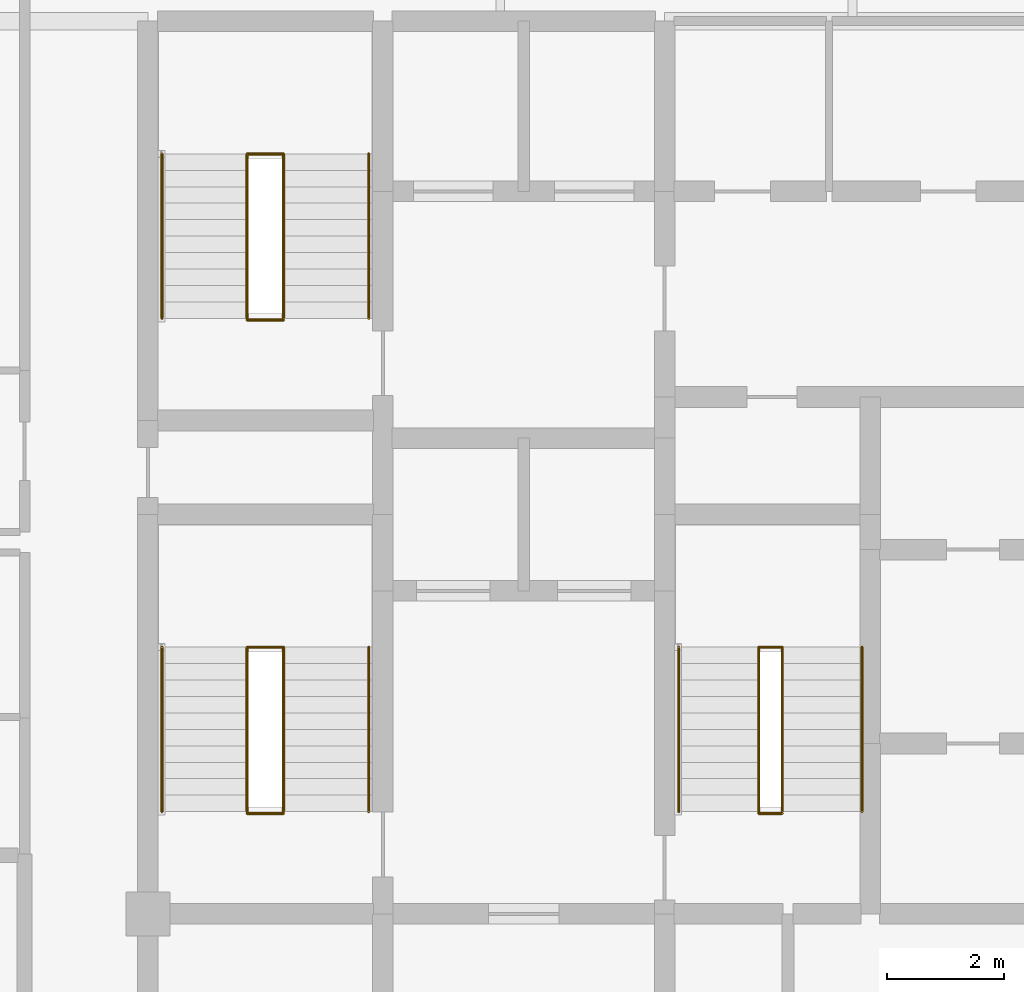
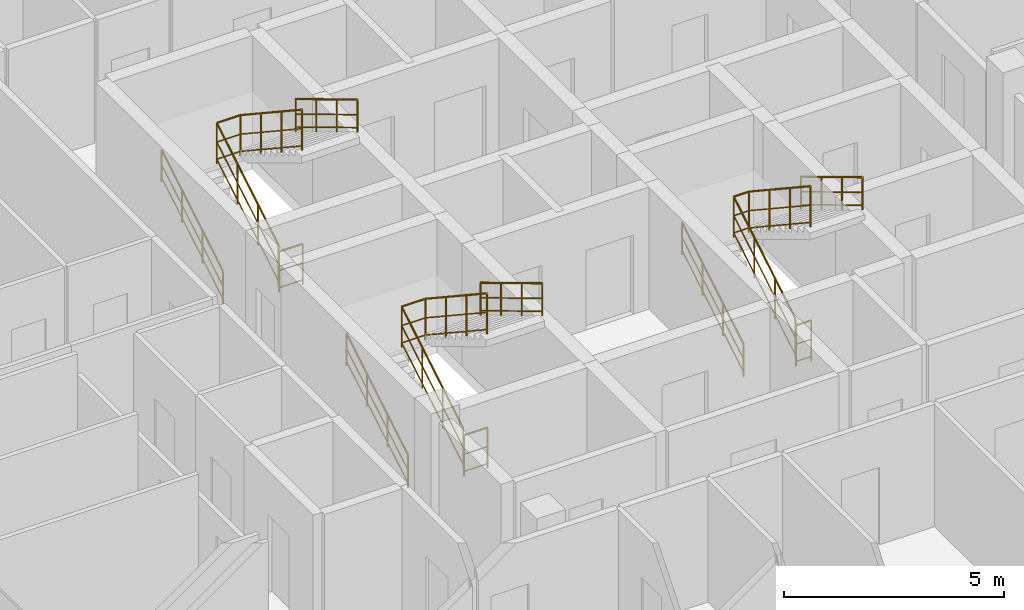
# One storey, part 29 of 29: 12 railings.
"""IFC4 building model written with IfcOpenShell, lengths in metres."""

from ifc_helpers import new_model, si_unit, direction, frame, origin, origin_2d, place, context, subcontext, project, spatial, circle, extrude, material, layer, layer_set, type_object, element, save


model = new_model("IFC4")

# Units and contexts
model_context = context("Model", 3, precision=1e-05, world=origin(), true_north=direction((0.0, 1.0)))
body_context = subcontext(model_context, "Body", "Model", "MODEL_VIEW")
ifc_project = project(units=[si_unit("LENGTHUNIT", "METRE"), si_unit("AREAUNIT", "SQUARE_METRE"), si_unit("VOLUMEUNIT", "CUBIC_METRE"), si_unit("PLANEANGLEUNIT", "RADIAN"), si_unit("MASSUNIT", "GRAM", prefix="KILO")], contexts=[model_context])

# Site, building, storey
site_placement = place(None, origin())
site = spatial("IfcSite", under=ifc_project, at=site_placement, CompositionType="ELEMENT")
building_placement = place(site_placement, origin())
building = spatial("IfcBuilding", under=site, at=building_placement, Name="Keshet Zoharim Tower", CompositionType="ELEMENT")
storey_placement = place(building_placement, frame((0.0, 0.0, 222.800048828125)))
storey = spatial("IfcBuildingStorey", under=building, at=storey_placement, Name="L55", CompositionType="ELEMENT", Elevation=222.800048828125)

# Railings
ifc_material = material(Name="Steel S355", Category="steel")
ifc_layer_1 = layer(ifc_material, 0.050048828125)
ifc_layer_set_1 = layer_set([ifc_layer_1], Name="Steel S355")
railing_type_1 = type_object("IfcRailingType", Name="RL-HND-092", PredefinedType="HANDRAIL", material=ifc_layer_set_1)
railing_1_placement = place(storey_placement, frame((15.239990234375, 24.43994140625, 0.168212890625)))
element("IfcRailing", 1, at=railing_1_placement, inside=storey, type_object=railing_type_1, Name="L55 ST-01 Flight 1 Wall Handrail", PredefinedType="HANDRAIL", context=body_context, shape_type="SweptSolid", body=[
    extrude(circle(Radius=0.02392578125, at=origin_2d()), frame((0.0, 0.0, 0.89599609375), z_axis=(0.0, 0.857275202839, 0.514858452973), x_axis=(-1.0, 0.0, 0.0)), (0.0, 0.0, 1.0), 3.26611328125),
    extrude(circle(Radius=0.01611328125, at=origin_2d()), frame((0.0, 0.0, 0.478271484375), z_axis=(0.0, 0.857275202839, 0.514858452973), x_axis=(-1.0, 0.0, 0.0)), (0.0, 0.0, 1.0), 3.26611328125),
    extrude(circle(Radius=0.01611328125, at=origin_2d()), frame((0.0, 0.0, 0.1201171875), z_axis=(0.0, 0.857275202839, 0.514858452973), x_axis=(-1.0, 0.0, 0.0)), (0.0, 0.0, 1.0), 3.26611328125),
    extrude(circle(Radius=0.02099609375, at=origin_2d()), origin(), (0.0, 0.0, 1.0), 0.871826171875),
    extrude(circle(Radius=0.02099609375, at=origin_2d()), frame((0.0, 0.933349609375, 0.560546875)), (0.0, 0.0, 1.0), 0.871826171875),
    extrude(circle(Radius=0.02099609375, at=origin_2d()), frame((0.0, 1.86669921875, 1.12109375)), (0.0, 0.0, 1.0), 0.871826171875),
    extrude(circle(Radius=0.02099609375, at=origin_2d()), frame((0.0, 2.800048828125, 1.681640625)), (0.0, 0.0, 1.0), 0.871826171875),
])
railing_2_placement = place(storey_placement, frame((18.760009765625, 27.239990234375, 2.01806640625)))
element("IfcRailing", 2, at=railing_2_placement, inside=storey, type_object=railing_type_1, Name="L55 ST-01 Flight 2 Wall Handrail", PredefinedType="HANDRAIL", context=body_context, shape_type="SweptSolid", body=[
    extrude(circle(Radius=0.02392578125, at=origin_2d()), frame((0.0, 0.0, 0.89599609375), z_axis=(0.0, -0.857242210791, 0.514913383045), x_axis=(1.0, 0.0, 0.0)), (0.0, 0.0, 1.0), 3.266357421875),
    extrude(circle(Radius=0.01611328125, at=origin_2d()), frame((0.0, 0.0, 0.478271484375), z_axis=(0.0, -0.857242210791, 0.514913383045), x_axis=(1.0, 0.0, 0.0)), (0.0, 0.0, 1.0), 3.266357421875),
    extrude(circle(Radius=0.01611328125, at=origin_2d()), frame((0.0, 0.0, 0.1201171875), z_axis=(0.0, -0.857242210791, 0.514913383045), x_axis=(1.0, 0.0, 0.0)), (0.0, 0.0, 1.0), 3.266357421875),
    extrude(circle(Radius=0.02099609375, at=origin_2d()), origin(), (0.0, 0.0, 1.0), 0.871826171875),
    extrude(circle(Radius=0.02099609375, at=origin_2d()), frame((0.0, -0.933349609375, 0.560546875)), (0.0, 0.0, 1.0), 0.871826171875),
    extrude(circle(Radius=0.02099609375, at=origin_2d()), frame((0.0, -1.86669921875, 1.121337890625)), (0.0, 0.0, 1.0), 0.871826171875),
    extrude(circle(Radius=0.02099609375, at=origin_2d()), frame((0.0, -2.800048828125, 1.681884765625)), (0.0, 0.0, 1.0), 0.871826171875),
])
railing_3_placement = place(storey_placement, frame((15.239990234375, 32.840087890625, 0.168212890625)))
element("IfcRailing", 3, at=railing_3_placement, inside=storey, type_object=railing_type_1, Name="L55 ST-02 Flight 1 Wall Handrail", PredefinedType="HANDRAIL", context=body_context, shape_type="SweptSolid", body=[
    extrude(circle(Radius=0.02392578125, at=origin_2d()), frame((0.0, 0.0, 0.89599609375), z_axis=(0.0, 0.857255387014, 0.514891446264), x_axis=(-1.0, 0.0, 0.0)), (0.0, 0.0, 1.0), 3.26611328125),
    extrude(circle(Radius=0.01611328125, at=origin_2d()), frame((0.0, 0.0, 0.478271484375), z_axis=(0.0, 0.857255387014, 0.514891446264), x_axis=(-1.0, 0.0, 0.0)), (0.0, 0.0, 1.0), 3.26611328125),
    extrude(circle(Radius=0.01611328125, at=origin_2d()), frame((0.0, 0.0, 0.1201171875), z_axis=(0.0, 0.857255387014, 0.514891446264), x_axis=(-1.0, 0.0, 0.0)), (0.0, 0.0, 1.0), 3.26611328125),
    extrude(circle(Radius=0.02099609375, at=origin_2d()), origin(), (0.0, 0.0, 1.0), 0.871826171875),
    extrude(circle(Radius=0.02099609375, at=origin_2d()), frame((0.0, 0.933349609375, 0.560546875)), (0.0, 0.0, 1.0), 0.871826171875),
    extrude(circle(Radius=0.02099609375, at=origin_2d()), frame((0.0, 1.866455078125, 1.12109375)), (0.0, 0.0, 1.0), 0.871826171875),
    extrude(circle(Radius=0.02099609375, at=origin_2d()), frame((0.0, 2.7998046875, 1.681640625)), (0.0, 0.0, 1.0), 0.871826171875),
])
railing_4_placement = place(storey_placement, frame((18.760009765625, 35.639892578125, 2.01806640625)))
element("IfcRailing", 4, at=railing_4_placement, inside=storey, type_object=railing_type_1, Name="L55 ST-02 Flight 2 Wall Handrail", PredefinedType="HANDRAIL", context=body_context, shape_type="SweptSolid", body=[
    extrude(circle(Radius=0.02392578125, at=origin_2d()), frame((0.0, 0.0, 0.89599609375), z_axis=(0.0, -0.857222391501, 0.514946377315), x_axis=(1.0, 0.0, 0.0)), (0.0, 0.0, 1.0), 3.26611328125),
    extrude(circle(Radius=0.01611328125, at=origin_2d()), frame((0.0, 0.0, 0.478271484375), z_axis=(0.0, -0.857222391501, 0.514946377315), x_axis=(1.0, 0.0, 0.0)), (0.0, 0.0, 1.0), 3.26611328125),
    extrude(circle(Radius=0.01611328125, at=origin_2d()), frame((0.0, 0.0, 0.1201171875), z_axis=(0.0, -0.857222391501, 0.514946377315), x_axis=(1.0, 0.0, 0.0)), (0.0, 0.0, 1.0), 3.26611328125),
    extrude(circle(Radius=0.02099609375, at=origin_2d()), origin(), (0.0, 0.0, 1.0), 0.871826171875),
    extrude(circle(Radius=0.02099609375, at=origin_2d()), frame((0.0, -0.933349609375, 0.560546875)), (0.0, 0.0, 1.0), 0.871826171875),
    extrude(circle(Radius=0.02099609375, at=origin_2d()), frame((0.0, -1.866455078125, 1.121337890625)), (0.0, 0.0, 1.0), 0.871826171875),
    extrude(circle(Radius=0.02099609375, at=origin_2d()), frame((0.0, -2.7998046875, 1.681884765625)), (0.0, 0.0, 1.0), 0.871826171875),
])
railing_5_placement = place(storey_placement, frame((24.0400390625, 24.43994140625, 0.168212890625)))
element("IfcRailing", 5, at=railing_5_placement, inside=storey, type_object=railing_type_1, Name="L55 ST-03 Flight 1 Wall Handrail", PredefinedType="HANDRAIL", context=body_context, shape_type="SweptSolid", body=[
    extrude(circle(Radius=0.02392578125, at=origin_2d()), frame((0.0, 0.0, 0.89599609375), z_axis=(0.0, 0.857275202839, 0.514858452973), x_axis=(-1.0, 0.0, 0.0)), (0.0, 0.0, 1.0), 3.26611328125),
    extrude(circle(Radius=0.01611328125, at=origin_2d()), frame((0.0, 0.0, 0.478271484375), z_axis=(0.0, 0.857275202839, 0.514858452973), x_axis=(-1.0, 0.0, 0.0)), (0.0, 0.0, 1.0), 3.26611328125),
    extrude(circle(Radius=0.01611328125, at=origin_2d()), frame((0.0, 0.0, 0.1201171875), z_axis=(0.0, 0.857275202839, 0.514858452973), x_axis=(-1.0, 0.0, 0.0)), (0.0, 0.0, 1.0), 3.26611328125),
    extrude(circle(Radius=0.02099609375, at=origin_2d()), origin(), (0.0, 0.0, 1.0), 0.871826171875),
    extrude(circle(Radius=0.02099609375, at=origin_2d()), frame((0.0, 0.933349609375, 0.560546875)), (0.0, 0.0, 1.0), 0.871826171875),
    extrude(circle(Radius=0.02099609375, at=origin_2d()), frame((0.0, 1.86669921875, 1.12109375)), (0.0, 0.0, 1.0), 0.871826171875),
    extrude(circle(Radius=0.02099609375, at=origin_2d()), frame((0.0, 2.800048828125, 1.681640625)), (0.0, 0.0, 1.0), 0.871826171875),
])
railing_6_placement = place(storey_placement, frame((27.159912109375, 27.239990234375, 2.01806640625)))
element("IfcRailing", 6, at=railing_6_placement, inside=storey, type_object=railing_type_1, Name="L55 ST-03 Flight 2 Wall Handrail", PredefinedType="HANDRAIL", context=body_context, shape_type="SweptSolid", body=[
    extrude(circle(Radius=0.02392578125, at=origin_2d()), frame((0.0, 0.0, 0.89599609375), z_axis=(0.0, -0.857242210791, 0.514913383045), x_axis=(1.0, 0.0, 0.0)), (0.0, 0.0, 1.0), 3.266357421875),
    extrude(circle(Radius=0.01611328125, at=origin_2d()), frame((0.0, 0.0, 0.478271484375), z_axis=(0.0, -0.857242210791, 0.514913383045), x_axis=(1.0, 0.0, 0.0)), (0.0, 0.0, 1.0), 3.266357421875),
    extrude(circle(Radius=0.01611328125, at=origin_2d()), frame((0.0, 0.0, 0.1201171875), z_axis=(0.0, -0.857242210791, 0.514913383045), x_axis=(1.0, 0.0, 0.0)), (0.0, 0.0, 1.0), 3.266357421875),
    extrude(circle(Radius=0.02099609375, at=origin_2d()), origin(), (0.0, 0.0, 1.0), 0.871826171875),
    extrude(circle(Radius=0.02099609375, at=origin_2d()), frame((0.0, -0.933349609375, 0.560546875)), (0.0, 0.0, 1.0), 0.871826171875),
    extrude(circle(Radius=0.02099609375, at=origin_2d()), frame((0.0, -1.86669921875, 1.121337890625)), (0.0, 0.0, 1.0), 0.871826171875),
    extrude(circle(Radius=0.02099609375, at=origin_2d()), frame((0.0, -2.800048828125, 1.681884765625)), (0.0, 0.0, 1.0), 0.871826171875),
])
ifc_layer_2 = layer(ifc_material, 0.06005859375)
ifc_layer_set_2 = layer_set([ifc_layer_2], Name="Steel S355")
railing_type_2 = type_object("IfcRailingType", Name="RL-STG-115", PredefinedType="GUARDRAIL", material=ifc_layer_set_2)
railing_7_placement = place(storey_placement, frame((16.68994140625, 24.43994140625, 0.168212890625)))
element("IfcRailing", 7, at=railing_7_placement, inside=storey, type_object=railing_type_2, Name="L55 ST-01 Inner Well Guardrail", PredefinedType="GUARDRAIL", context=body_context, shape_type="SweptSolid", body=[
    extrude(circle(Radius=0.02392578125, at=origin_2d()), frame((0.0, 0.0, 1.1259765625), z_axis=(0.0, 0.857275202839, 0.514858452973), x_axis=(-1.0, 0.0, 0.0)), (0.0, 0.0, 1.0), 3.26611328125),
    extrude(circle(Radius=0.01611328125, at=origin_2d()), frame((0.0, 0.0, 0.597900390625), z_axis=(0.0, 0.857275202839, 0.514858452973), x_axis=(-1.0, 0.0, 0.0)), (0.0, 0.0, 1.0), 3.26611328125),
    extrude(circle(Radius=0.01611328125, at=origin_2d()), frame((0.0, 0.0, 0.1201171875), z_axis=(0.0, 0.857275202839, 0.514858452973), x_axis=(-1.0, 0.0, 0.0)), (0.0, 0.0, 1.0), 3.26611328125),
    extrude(circle(Radius=0.02392578125, at=origin_2d()), frame((0.0, 2.800048828125, 2.8076171875), z_axis=(1.0, 0.0, 0.0), x_axis=(0.0, 1.0, 0.0)), (0.0, 0.0, 1.0), 0.6201171875),
    extrude(circle(Radius=0.01611328125, at=origin_2d()), frame((0.0, 2.800048828125, 2.279541015625), z_axis=(1.0, 0.0, 0.0), x_axis=(0.0, 1.0, 0.0)), (0.0, 0.0, 1.0), 0.6201171875),
    extrude(circle(Radius=0.01611328125, at=origin_2d()), frame((0.0, 2.800048828125, 1.8017578125), z_axis=(1.0, 0.0, 0.0), x_axis=(0.0, 1.0, 0.0)), (0.0, 0.0, 1.0), 0.6201171875),
    extrude(circle(Radius=0.02392578125, at=origin_2d()), frame((0.6201171875, 2.800048828125, 2.8076171875), z_axis=(0.0, -0.834326358476, 0.551270829586), x_axis=(1.0, 0.0, 0.0)), (0.0, 0.0, 1.0), 3.35595703125),
    extrude(circle(Radius=0.01611328125, at=origin_2d()), frame((0.6201171875, 2.800048828125, 2.279541015625), z_axis=(0.0, -0.834326358476, 0.551270829586), x_axis=(1.0, 0.0, 0.0)), (0.0, 0.0, 1.0), 3.35595703125),
    extrude(circle(Radius=0.01611328125, at=origin_2d()), frame((0.6201171875, 2.800048828125, 1.8017578125), z_axis=(0.0, -0.834326358476, 0.551270829586), x_axis=(1.0, 0.0, 0.0)), (0.0, 0.0, 1.0), 3.35595703125),
    extrude(circle(Radius=0.02099609375, at=origin_2d()), origin(), (0.0, 0.0, 1.0), 1.101806640625),
    extrude(circle(Radius=0.02099609375, at=origin_2d()), frame((0.0, 0.933349609375, 0.560546875)), (0.0, 0.0, 1.0), 1.101806640625),
    extrude(circle(Radius=0.02099609375, at=origin_2d()), frame((0.0, 1.86669921875, 1.12109375)), (0.0, 0.0, 1.0), 1.101806640625),
    extrude(circle(Radius=0.02099609375, at=origin_2d()), frame((0.0, 2.800048828125, 1.681640625)), (0.0, 0.0, 1.0), 1.101806640625),
    extrude(circle(Radius=0.02099609375, at=origin_2d()), frame((0.6201171875, 2.800048828125, 1.681640625)), (0.0, 0.0, 1.0), 1.101806640625),
    extrude(circle(Radius=0.02099609375, at=origin_2d()), frame((0.6201171875, 1.86669921875, 2.29833984375)), (0.0, 0.0, 1.0), 1.101806640625),
    extrude(circle(Radius=0.02099609375, at=origin_2d()), frame((0.6201171875, 0.933349609375, 2.9150390625)), (0.0, 0.0, 1.0), 1.101806640625),
    extrude(circle(Radius=0.02099609375, at=origin_2d()), frame((0.6201171875, 0.0, 3.53173828125)), (0.0, 0.0, 1.0), 1.101806640625),
])
railing_8_placement = place(storey_placement, frame((16.68994140625, 24.409912109375, 0.0)))
element("IfcRailing", 8, at=railing_8_placement, inside=storey, type_object=railing_type_2, Name="L55 ST-01 Stairwell Floor Guardrail", PredefinedType="GUARDRAIL", context=body_context, shape_type="SweptSolid", body=[
    extrude(circle(Radius=0.02392578125, at=origin_2d()), frame((0.0, 0.0, 1.1259765625), z_axis=(1.0, 0.0, 0.0), x_axis=(0.0, 1.0, 0.0)), (0.0, 0.0, 1.0), 0.6201171875),
    extrude(circle(Radius=0.01611328125, at=origin_2d()), frame((0.0, 0.0, 0.597900390625), z_axis=(1.0, 0.0, 0.0), x_axis=(0.0, 1.0, 0.0)), (0.0, 0.0, 1.0), 0.6201171875),
    extrude(circle(Radius=0.01611328125, at=origin_2d()), frame((0.0, 0.0, 0.1201171875), z_axis=(1.0, 0.0, 0.0), x_axis=(0.0, 1.0, 0.0)), (0.0, 0.0, 1.0), 0.6201171875),
    extrude(circle(Radius=0.02099609375, at=origin_2d()), origin(), (0.0, 0.0, 1.0), 1.101806640625),
    extrude(circle(Radius=0.02099609375, at=origin_2d()), frame((0.6201171875, 0.0, 0.0)), (0.0, 0.0, 1.0), 1.101806640625),
])
railing_9_placement = place(storey_placement, frame((16.68994140625, 32.840087890625, 0.168212890625)))
element("IfcRailing", 9, at=railing_9_placement, inside=storey, type_object=railing_type_2, Name="L55 ST-02 Inner Well Guardrail", PredefinedType="GUARDRAIL", context=body_context, shape_type="SweptSolid", body=[
    extrude(circle(Radius=0.02392578125, at=origin_2d()), frame((0.0, 0.0, 1.1259765625), z_axis=(0.0, 0.857255387014, 0.514891446264), x_axis=(-1.0, 0.0, 0.0)), (0.0, 0.0, 1.0), 3.26611328125),
    extrude(circle(Radius=0.01611328125, at=origin_2d()), frame((0.0, 0.0, 0.597900390625), z_axis=(0.0, 0.857255387014, 0.514891446264), x_axis=(-1.0, 0.0, 0.0)), (0.0, 0.0, 1.0), 3.26611328125),
    extrude(circle(Radius=0.01611328125, at=origin_2d()), frame((0.0, 0.0, 0.1201171875), z_axis=(0.0, 0.857255387014, 0.514891446264), x_axis=(-1.0, 0.0, 0.0)), (0.0, 0.0, 1.0), 3.26611328125),
    extrude(circle(Radius=0.02392578125, at=origin_2d()), frame((0.0, 2.7998046875, 2.8076171875), z_axis=(1.0, 0.0, 0.0), x_axis=(0.0, 1.0, 0.0)), (0.0, 0.0, 1.0), 0.6201171875),
    extrude(circle(Radius=0.01611328125, at=origin_2d()), frame((0.0, 2.7998046875, 2.279541015625), z_axis=(1.0, 0.0, 0.0), x_axis=(0.0, 1.0, 0.0)), (0.0, 0.0, 1.0), 0.6201171875),
    extrude(circle(Radius=0.01611328125, at=origin_2d()), frame((0.0, 2.7998046875, 1.8017578125), z_axis=(1.0, 0.0, 0.0), x_axis=(0.0, 1.0, 0.0)), (0.0, 0.0, 1.0), 0.6201171875),
    extrude(circle(Radius=0.02392578125, at=origin_2d()), frame((0.6201171875, 2.7998046875, 2.8076171875), z_axis=(0.0, -0.834304248922, 0.551304290053), x_axis=(1.0, 0.0, 0.0)), (0.0, 0.0, 1.0), 3.35595703125),
    extrude(circle(Radius=0.01611328125, at=origin_2d()), frame((0.6201171875, 2.7998046875, 2.279541015625), z_axis=(0.0, -0.834304248922, 0.551304290053), x_axis=(1.0, 0.0, 0.0)), (0.0, 0.0, 1.0), 3.35595703125),
    extrude(circle(Radius=0.01611328125, at=origin_2d()), frame((0.6201171875, 2.7998046875, 1.8017578125), z_axis=(0.0, -0.834304248922, 0.551304290053), x_axis=(1.0, 0.0, 0.0)), (0.0, 0.0, 1.0), 3.35595703125),
    extrude(circle(Radius=0.02099609375, at=origin_2d()), origin(), (0.0, 0.0, 1.0), 1.101806640625),
    extrude(circle(Radius=0.02099609375, at=origin_2d()), frame((0.0, 0.933349609375, 0.560546875)), (0.0, 0.0, 1.0), 1.101806640625),
    extrude(circle(Radius=0.02099609375, at=origin_2d()), frame((0.0, 1.866455078125, 1.12109375)), (0.0, 0.0, 1.0), 1.101806640625),
    extrude(circle(Radius=0.02099609375, at=origin_2d()), frame((0.0, 2.7998046875, 1.681640625)), (0.0, 0.0, 1.0), 1.101806640625),
    extrude(circle(Radius=0.02099609375, at=origin_2d()), frame((0.6201171875, 2.7998046875, 1.681640625)), (0.0, 0.0, 1.0), 1.101806640625),
    extrude(circle(Radius=0.02099609375, at=origin_2d()), frame((0.6201171875, 1.866455078125, 2.29833984375)), (0.0, 0.0, 1.0), 1.101806640625),
    extrude(circle(Radius=0.02099609375, at=origin_2d()), frame((0.6201171875, 0.933349609375, 2.9150390625)), (0.0, 0.0, 1.0), 1.101806640625),
    extrude(circle(Radius=0.02099609375, at=origin_2d()), frame((0.6201171875, 0.0, 3.53173828125)), (0.0, 0.0, 1.0), 1.101806640625),
])
railing_10_placement = place(storey_placement, frame((16.68994140625, 32.81005859375, 0.0)))
element("IfcRailing", 10, at=railing_10_placement, inside=storey, type_object=railing_type_2, Name="L55 ST-02 Stairwell Floor Guardrail", PredefinedType="GUARDRAIL", context=body_context, shape_type="SweptSolid", body=[
    extrude(circle(Radius=0.02392578125, at=origin_2d()), frame((0.0, 0.0, 1.1259765625), z_axis=(1.0, 0.0, 0.0), x_axis=(0.0, 1.0, 0.0)), (0.0, 0.0, 1.0), 0.6201171875),
    extrude(circle(Radius=0.01611328125, at=origin_2d()), frame((0.0, 0.0, 0.597900390625), z_axis=(1.0, 0.0, 0.0), x_axis=(0.0, 1.0, 0.0)), (0.0, 0.0, 1.0), 0.6201171875),
    extrude(circle(Radius=0.01611328125, at=origin_2d()), frame((0.0, 0.0, 0.1201171875), z_axis=(1.0, 0.0, 0.0), x_axis=(0.0, 1.0, 0.0)), (0.0, 0.0, 1.0), 0.6201171875),
    extrude(circle(Radius=0.02099609375, at=origin_2d()), origin(), (0.0, 0.0, 1.0), 1.101806640625),
    extrude(circle(Radius=0.02099609375, at=origin_2d()), frame((0.6201171875, 0.0, 0.0)), (0.0, 0.0, 1.0), 1.101806640625),
])
railing_11_placement = place(storey_placement, frame((25.39990234375, 24.43994140625, 0.168212890625)))
element("IfcRailing", 11, at=railing_11_placement, inside=storey, type_object=railing_type_2, Name="L55 ST-03 Inner Well Guardrail", PredefinedType="GUARDRAIL", context=body_context, shape_type="SweptSolid", body=[
    extrude(circle(Radius=0.02392578125, at=origin_2d()), frame((0.0, 0.0, 1.1259765625), z_axis=(0.0, 0.857275202839, 0.514858452973), x_axis=(-1.0, 0.0, 0.0)), (0.0, 0.0, 1.0), 3.26611328125),
    extrude(circle(Radius=0.01611328125, at=origin_2d()), frame((0.0, 0.0, 0.597900390625), z_axis=(0.0, 0.857275202839, 0.514858452973), x_axis=(-1.0, 0.0, 0.0)), (0.0, 0.0, 1.0), 3.26611328125),
    extrude(circle(Radius=0.01611328125, at=origin_2d()), frame((0.0, 0.0, 0.1201171875), z_axis=(0.0, 0.857275202839, 0.514858452973), x_axis=(-1.0, 0.0, 0.0)), (0.0, 0.0, 1.0), 3.26611328125),
    extrude(circle(Radius=0.02392578125, at=origin_2d()), frame((0.0, 2.800048828125, 2.8076171875), z_axis=(1.0, 0.0, 0.0), x_axis=(0.0, 1.0, 0.0)), (0.0, 0.0, 1.0), 0.400146484375),
    extrude(circle(Radius=0.01611328125, at=origin_2d()), frame((0.0, 2.800048828125, 2.279541015625), z_axis=(1.0, 0.0, 0.0), x_axis=(0.0, 1.0, 0.0)), (0.0, 0.0, 1.0), 0.400146484375),
    extrude(circle(Radius=0.01611328125, at=origin_2d()), frame((0.0, 2.800048828125, 1.8017578125), z_axis=(1.0, 0.0, 0.0), x_axis=(0.0, 1.0, 0.0)), (0.0, 0.0, 1.0), 0.400146484375),
    extrude(circle(Radius=0.02392578125, at=origin_2d()), frame((0.400146484375, 2.800048828125, 2.8076171875), z_axis=(0.0, -0.834326358476, 0.551270829586), x_axis=(1.0, 0.0, 0.0)), (0.0, 0.0, 1.0), 3.35595703125),
    extrude(circle(Radius=0.01611328125, at=origin_2d()), frame((0.400146484375, 2.800048828125, 2.279541015625), z_axis=(0.0, -0.834326358476, 0.551270829586), x_axis=(1.0, 0.0, 0.0)), (0.0, 0.0, 1.0), 3.35595703125),
    extrude(circle(Radius=0.01611328125, at=origin_2d()), frame((0.400146484375, 2.800048828125, 1.8017578125), z_axis=(0.0, -0.834326358476, 0.551270829586), x_axis=(1.0, 0.0, 0.0)), (0.0, 0.0, 1.0), 3.35595703125),
    extrude(circle(Radius=0.02099609375, at=origin_2d()), origin(), (0.0, 0.0, 1.0), 1.101806640625),
    extrude(circle(Radius=0.02099609375, at=origin_2d()), frame((0.0, 0.933349609375, 0.560546875)), (0.0, 0.0, 1.0), 1.101806640625),
    extrude(circle(Radius=0.02099609375, at=origin_2d()), frame((0.0, 1.86669921875, 1.12109375)), (0.0, 0.0, 1.0), 1.101806640625),
    extrude(circle(Radius=0.02099609375, at=origin_2d()), frame((0.0, 2.800048828125, 1.681640625)), (0.0, 0.0, 1.0), 1.101806640625),
    extrude(circle(Radius=0.02099609375, at=origin_2d()), frame((0.400146484375, 2.800048828125, 1.681640625)), (0.0, 0.0, 1.0), 1.101806640625),
    extrude(circle(Radius=0.02099609375, at=origin_2d()), frame((0.400146484375, 1.86669921875, 2.29833984375)), (0.0, 0.0, 1.0), 1.101806640625),
    extrude(circle(Radius=0.02099609375, at=origin_2d()), frame((0.400146484375, 0.933349609375, 2.9150390625)), (0.0, 0.0, 1.0), 1.101806640625),
    extrude(circle(Radius=0.02099609375, at=origin_2d()), frame((0.400146484375, 0.0, 3.53173828125)), (0.0, 0.0, 1.0), 1.101806640625),
])
railing_12_placement = place(storey_placement, frame((25.39990234375, 24.409912109375, 0.0)))
element("IfcRailing", 12, at=railing_12_placement, inside=storey, type_object=railing_type_2, Name="L55 ST-03 Stairwell Floor Guardrail", PredefinedType="GUARDRAIL", context=body_context, shape_type="SweptSolid", body=[
    extrude(circle(Radius=0.02392578125, at=origin_2d()), frame((0.0, 0.0, 1.1259765625), z_axis=(1.0, 0.0, 0.0), x_axis=(0.0, 1.0, 0.0)), (0.0, 0.0, 1.0), 0.400146484375),
    extrude(circle(Radius=0.01611328125, at=origin_2d()), frame((0.0, 0.0, 0.597900390625), z_axis=(1.0, 0.0, 0.0), x_axis=(0.0, 1.0, 0.0)), (0.0, 0.0, 1.0), 0.400146484375),
    extrude(circle(Radius=0.01611328125, at=origin_2d()), frame((0.0, 0.0, 0.1201171875), z_axis=(1.0, 0.0, 0.0), x_axis=(0.0, 1.0, 0.0)), (0.0, 0.0, 1.0), 0.400146484375),
    extrude(circle(Radius=0.02099609375, at=origin_2d()), origin(), (0.0, 0.0, 1.0), 1.101806640625),
    extrude(circle(Radius=0.02099609375, at=origin_2d()), frame((0.400146484375, 0.0, 0.0)), (0.0, 0.0, 1.0), 1.101806640625),
])

save(model, "model.ifc")
